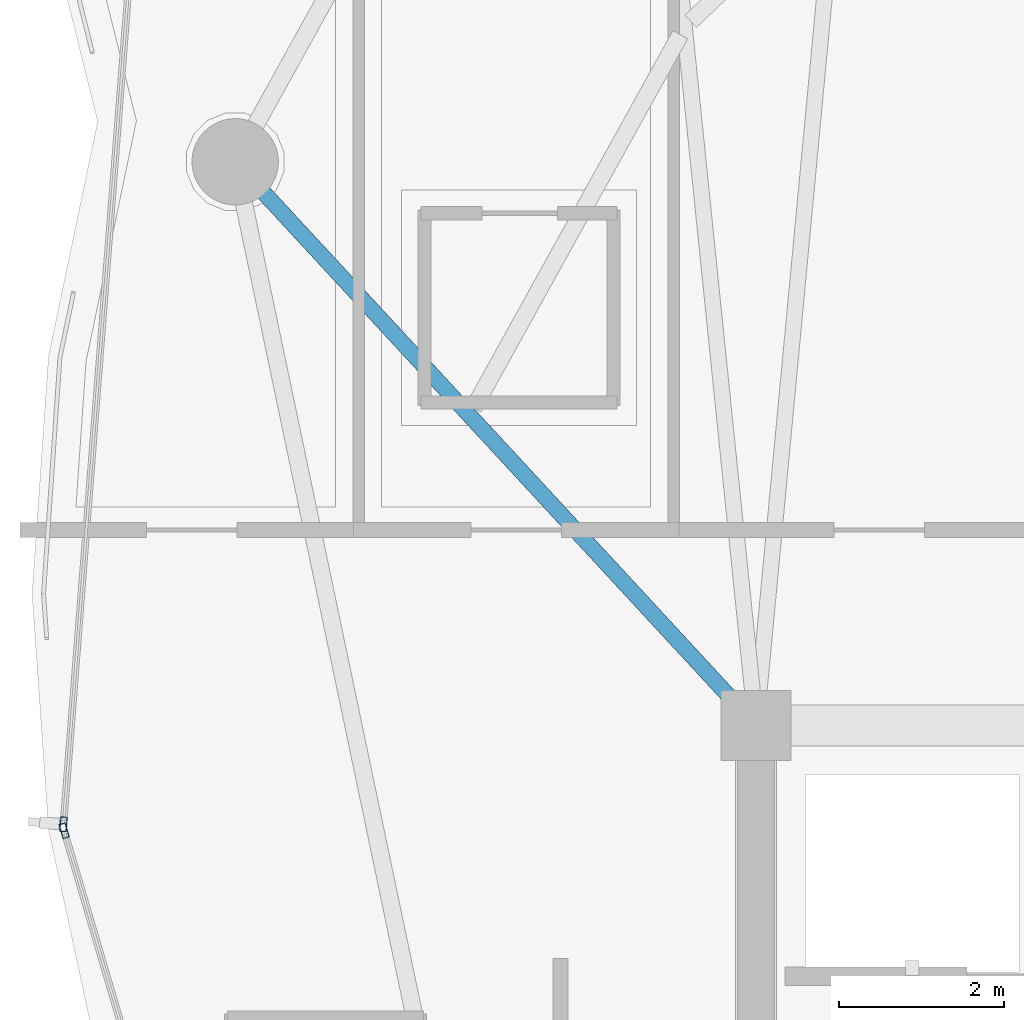
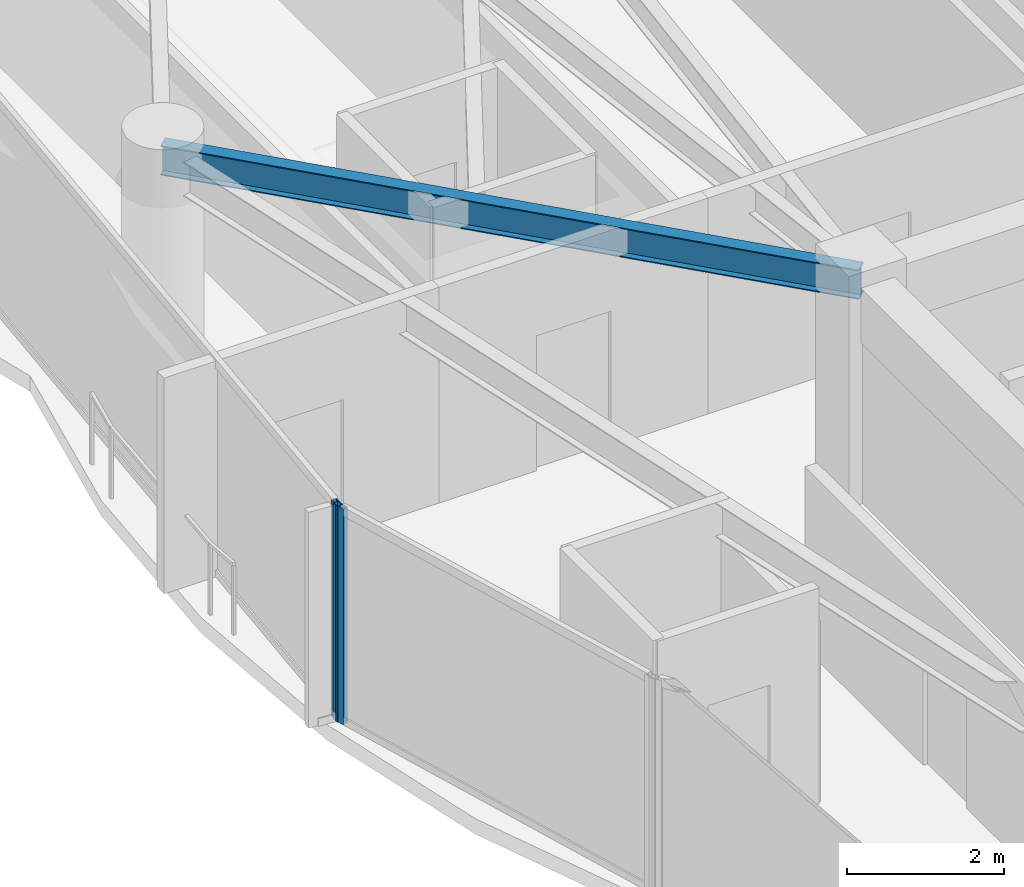
# One storey, part 8 of 31: 2 members, 1 beam, 2 elements without a shape of their own.
"""IFC4 building model written with IfcOpenShell, lengths in metres."""

from ifc_helpers import new_model, si_unit, direction, frame, origin, origin_2d, place, context, subcontext, project, spatial, hollow_rectangle, i_section, extrude, material, layer, layer_set, material_profile, profile_set, type_object, element, aggregate, save


model = new_model("IFC4")

# Units and contexts
model_context = context("Model", 3, precision=1e-05, world=origin(), true_north=direction((0.0, 1.0)))
body_context = subcontext(model_context, "Body", "Model", "MODEL_VIEW")
ifc_project = project(units=[si_unit("LENGTHUNIT", "METRE"), si_unit("AREAUNIT", "SQUARE_METRE"), si_unit("VOLUMEUNIT", "CUBIC_METRE"), si_unit("PLANEANGLEUNIT", "RADIAN"), si_unit("MASSUNIT", "GRAM", prefix="KILO")], contexts=[model_context])

# Site, building, storey
site_placement = place(None, origin())
site = spatial("IfcSite", under=ifc_project, at=site_placement, CompositionType="ELEMENT")
building_placement = place(site_placement, origin())
building = spatial("IfcBuilding", under=site, at=building_placement, Name="Kazevale Care Tower and Concert Hall", CompositionType="ELEMENT")
storey_placement = place(building_placement, frame((0.0, 0.0, 202.800048828125)))
storey = spatial("IfcBuildingStorey", under=building, at=storey_placement, Name="L53", CompositionType="ELEMENT", Elevation=202.800048828125)

# Curtain wall, member
ifc_material_1 = material(Name="Aluminium 6063-T6 and Low-E Glass", Category="aluminium")
ifc_layer = layer(ifc_material_1, 0.179931640625)
ifc_layer_set = layer_set([ifc_layer], Name="Aluminium 6063-T6 and Low-E Glass")
curtain_wall_type = type_object("IfcCurtainWallType", Name="Waist & Upper Residential Curtain Wall CW-4", PredefinedType="NOTDEFINED", material=ifc_layer_set)
curtain_wall_1_placement = place(storey_placement, origin())
curtain_wall_1 = element("IfcCurtainWall", 1, at=curtain_wall_1_placement, inside=storey, type_object=curtain_wall_type, Name="cw:L53:f12", PredefinedType="NOTDEFINED")
ifc_material_2 = material(Name="Aluminium 6063-T6", Category="aluminium")
ifc_material_profile_1 = material_profile(ifc_material_2, hollow_rectangle(XDim=0.080078125, YDim=0.179931640625, WallThickness=0.0048828125, at=origin_2d()), Name="ALU80x180x5")
ifc_profile_set_1 = profile_set([ifc_material_profile_1], Name="Aluminium 6063-T6")
member_type = type_object("IfcMemberType", Name="CW-4 Mullion ALU80x180x5", PredefinedType="MULLION", material=ifc_profile_set_1)
member_1_placement = place(storey_placement, frame((13.59033203125, 35.11865234375, 0.0), z_axis=(0.0, 0.0, 1.0), x_axis=(-0.959385539982, -0.282098184457, 0.0)))
member_1 = element("IfcMember", 2, at=member_1_placement, type_object=member_type, Name="CW-4 mullion 2", PredefinedType="MULLION", context=body_context, shape_type="SweptSolid", body=[
    extrude(hollow_rectangle(XDim=0.080078125, YDim=0.179931640625, WallThickness=0.0048828125, at=origin_2d()), origin(), (0.0, 0.0, 1.0), 3.35986328125),
])
aggregate(curtain_wall_1, [member_1])

curtain_wall_2_placement = place(storey_placement, origin())
curtain_wall_2 = element("IfcCurtainWall", 3, at=curtain_wall_2_placement, inside=storey, type_object=curtain_wall_type, Name="cw:L53:f13", PredefinedType="NOTDEFINED")
member_2_placement = place(storey_placement, frame((13.58203125, 35.19677734375, 0.0), z_axis=(0.0, 0.0, 1.0), x_axis=(-0.996989311372, 0.077539106325, 0.0)))
member_2 = element("IfcMember", 4, at=member_2_placement, type_object=member_type, Name="CW-4 mullion 1", PredefinedType="MULLION", context=body_context, shape_type="SweptSolid", body=[
    extrude(hollow_rectangle(XDim=0.080078125, YDim=0.179931640625, WallThickness=0.0048828125, at=origin_2d()), origin(), (0.0, 0.0, 1.0), 3.35986328125),
])
aggregate(curtain_wall_2, [member_2])

# Beam
ifc_material_3 = material(Name="Steel ASTM A572 Gr 50", Category="steel")
ifc_material_profile_2 = material_profile(ifc_material_3, i_section(OverallWidth=0.19091796875, OverallDepth=0.4599609375, WebThickness=0.010009765625, FlangeThickness=0.01611328125, at=origin_2d()), Name="W460x82")
ifc_profile_set_2 = profile_set([ifc_material_profile_2], Name="Steel ASTM A572 Gr 50")
beam_type = type_object("IfcBeamType", Name="Radial Floor Beam W460x82", PredefinedType="BEAM", material=ifc_profile_set_2)
beam_placement = place(storey_placement, frame((22.0, 36.39990234375, 3.1298828125), z_axis=(-0.678680078581, 0.734434034435, 0.0), x_axis=(-0.734434034435, -0.678680078581, 0.0)))
element("IfcBeam", 5, at=beam_placement, inside=storey, type_object=beam_type, Name="beam:L53:rad:09", PredefinedType="BEAM", context=body_context, shape_type="SweptSolid", body=[
    extrude(i_section(OverallWidth=0.19091796875, OverallDepth=0.4599609375, WebThickness=0.010009765625, FlangeThickness=0.01611328125, at=origin_2d()), origin(), (0.0, 0.0, 1.0), 9.3271484375),
])

save(model, "model.ifc")
